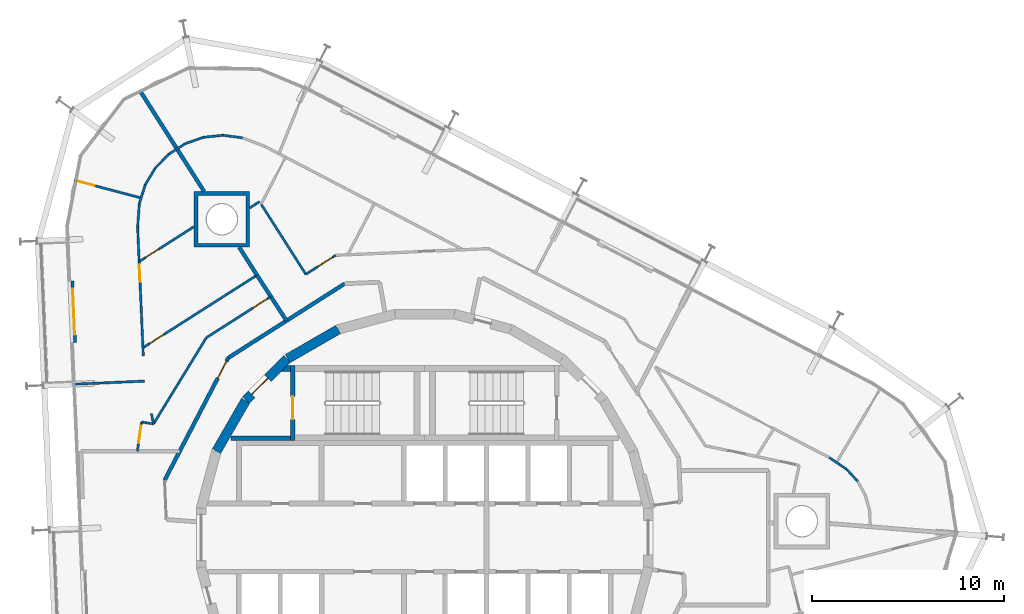
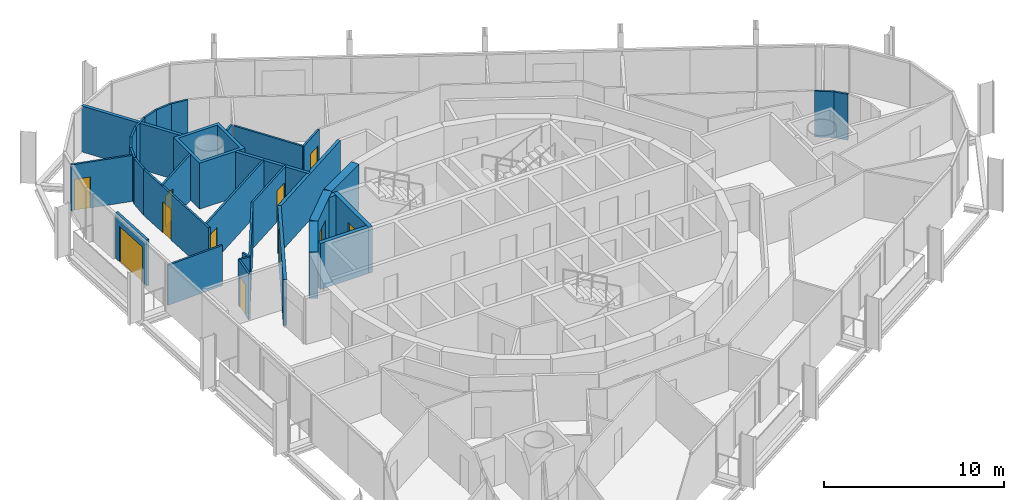
# One storey, part 15 of 18: 36 walls, 11 doors, 11 openings.
"""IFC4 building model written with IfcOpenShell, lengths in metres."""

from ifc_helpers import new_model, si_unit, direction, frame, frame_2d, origin, place, context, subcontext, project, spatial, polyline, rectangle, outline, extrude, material, layer, layer_set, type_object, element, fill, save


model = new_model("IFC4")

# Units and contexts
model_context = context("Model", 3, precision=1e-05, world=origin(), true_north=direction((0.0, 1.0)))
body_context = subcontext(model_context, "Body", "Model", "MODEL_VIEW")
ifc_project = project(units=[si_unit("LENGTHUNIT", "METRE"), si_unit("AREAUNIT", "SQUARE_METRE"), si_unit("VOLUMEUNIT", "CUBIC_METRE"), si_unit("PLANEANGLEUNIT", "RADIAN"), si_unit("MASSUNIT", "GRAM", prefix="KILO")], contexts=[model_context])

# Site, building, storey
site_placement = place(None, origin())
site = spatial("IfcSite", under=ifc_project, at=site_placement, CompositionType="ELEMENT")
building_placement = place(site_placement, origin())
building = spatial("IfcBuilding", under=site, at=building_placement, Name="Spindle Arch Residences", CompositionType="ELEMENT")
storey_placement = place(building_placement, frame((0.0, 0.0, 233.699951171875)))
storey = spatial("IfcBuildingStorey", under=building, at=storey_placement, Name="L59", CompositionType="ELEMENT", Elevation=233.699951171875)

# Wall
ifc_material_1 = material(Name="Concrete C50/60", Category="concrete")
ifc_layer_1 = layer(ifc_material_1, 0.5)
ifc_layer_set_1 = layer_set([ifc_layer_1], Name="Core outline wall 500")
wall_type_1 = type_object("IfcWallType", Name="Core outline wall 500", PredefinedType="SHEAR", material=ifc_layer_set_1)
wall_1_placement = place(storey_placement, frame((-4.510498046875, 10.84521484375, 0.0), z_axis=(0.0, 0.0, 1.0), x_axis=(-0.865975092491, -0.500087131594, 0.0)))
element("IfcWall", 1, at=wall_1_placement, inside=storey, type_object=wall_type_1, Name="Core outline wall 14", PredefinedType="SHEAR", context=body_context, shape_type="SweptSolid", body=[
    extrude(rectangle(XDim=3.03271484375, YDim=0.5, at=frame_2d((1.516357421875, 0.0))), origin(), (0.0, 0.0, 1.0), 3.1201171875),
])

# Wall, opening, door
wall_2_placement = place(storey_placement, frame((-7.163818359375, 9.30810546875, 0.0), z_axis=(0.0, 0.0, 1.0), x_axis=(-0.707106781187, -0.707106781187, 0.0)))
wall_2 = element("IfcWall", 2, at=wall_2_placement, inside=storey, type_object=wall_type_1, Name="Core outline wall 15", PredefinedType="SHEAR", context=body_context, shape_type="SweptSolid", body=[
    extrude(rectangle(XDim=3.032470703125, YDim=0.5, at=frame_2d((1.51611328125, 0.0))), origin(), (0.0, 0.0, 1.0), 3.1201171875),
])
opening_1_placement = place(wall_2_placement, frame((1.416259765625, 0.0, 0.0)))
opening_1 = element("IfcOpeningElement", 3, at=opening_1_placement, cuts=wall_2, Name="Opening R6A0-AD02", PredefinedType="OPENING", context=body_context, shape_type="SweptSolid", body=[
    extrude(rectangle(XDim=1.199951171875, YDim=2.10009765625, at=frame_2d((0.60009765625, 1.050048828125))), frame((0.0, 0.260009765625, 0.0), z_axis=(0.0, -1.0, 0.0), x_axis=(1.0, 0.0, 0.0)), (0.0, 0.0, 1.0), 0.52001953125),
])
ifc_material_2 = material(Name="Steel, fire-resisting door", Category="steel")
door_type_1 = type_object("IfcDoorType", Name="Stair airlock door 1200x2100", OperationType="SINGLE_SWING_LEFT", PredefinedType="DOOR", material=ifc_material_2)
door_1_placement = place(opening_1_placement, origin())
door_1 = element("IfcDoor", 4, at=door_1_placement, inside=storey, type_object=door_type_1, Name="Stair airlock door R6A0-AD02", OperationType="SINGLE_SWING_RIGHT", OverallHeight=2.10009765625, OverallWidth=1.199951171875, PredefinedType="DOOR", context=body_context, shape_type="SweptSolid", body=[
    extrude(rectangle(XDim=1.199951171875, YDim=2.10009765625, at=frame_2d((0.60009765625, 1.050048828125))), frame((0.0, 0.02490234375, 0.0), z_axis=(0.0, -1.0, 0.0), x_axis=(1.0, 0.0, 0.0)), (0.0, 0.0, 1.0), 0.050048828125),
])
fill(opening_1, door_1)

# Walls
wall_3_placement = place(storey_placement, frame((-9.32861328125, 7.13671875, 0.0), z_axis=(0.0, 0.0, 1.0), x_axis=(-0.500087131594, -0.865975092491, 0.0)))
element("IfcWall", 5, at=wall_3_placement, inside=storey, type_object=wall_type_1, Name="Core outline wall 16", PredefinedType="SHEAR", context=body_context, shape_type="SweptSolid", body=[
    extrude(rectangle(XDim=3.03271484375, YDim=0.5, at=frame_2d((1.516357421875, 0.0))), origin(), (0.0, 0.0, 1.0), 3.1201171875),
])
ifc_material_3 = material(Name="Calcium silicate block, plastered")
ifc_layer_2 = layer(ifc_material_3, 0.199951171875)
ifc_layer_set_2 = layer_set([ifc_layer_2], Name="Corridor wall 200")
wall_type_2 = type_object("IfcWallType", Name="Corridor wall 200", PredefinedType="STANDARD", material=ifc_layer_set_2)
wall_4_placement = place(storey_placement, frame((-4.171630859375, 13.230712890625, 0.0), z_axis=(0.0, 0.0, 1.0), x_axis=(-0.843388394728, -0.537304397561, 0.0)))
element("IfcWall", 6, at=wall_4_placement, inside=storey, type_object=wall_type_2, Name="Corridor wall R6A0-W012", PredefinedType="STANDARD", context=body_context, shape_type="SweptSolid", body=[
    extrude(rectangle(XDim=7.180908203125, YDim=0.199951171875, at=frame_2d((3.59033203125, 0.0))), origin(), (0.0, 0.0, 1.0), 3.1201171875),
])
ifc_material_4 = material(Name="Plasterboard on steel studs", Category="steel")
ifc_layer_3 = layer(ifc_material_4, 0.1201171875)
ifc_layer_set_3 = layer_set([ifc_layer_3], Name="Flat partition 120")
wall_type_3 = type_object("IfcWallType", Name="Flat partition 120", PredefinedType="PARTITIONING", material=ifc_layer_set_3)
wall_5_placement = place(storey_placement, frame((21.085205078125, 4.16943359375, 0.0), z_axis=(0.0, 0.0, 1.0), x_axis=(0.827390024541, -0.561627765776, 0.0)))
element("IfcWall", 7, at=wall_5_placement, inside=storey, type_object=wall_type_3, Name="Flat partition R6A0-W044", PredefinedType="PARTITIONING", context=body_context, shape_type="SweptSolid", body=[
    extrude(rectangle(XDim=1.086669921875, YDim=0.1201171875, at=frame_2d((0.54345703125, 0.0))), origin(), (0.0, 0.0, 1.0), 3.1201171875),
])
wall_6_placement = place(storey_placement, frame((21.984375, 3.55908203125, 0.0), z_axis=(0.0, 0.0, 1.0), x_axis=(0.675497816835, -0.737361986715, 0.0)))
element("IfcWall", 8, at=wall_6_placement, inside=storey, type_object=wall_type_3, Name="Flat partition R6A0-W045", PredefinedType="PARTITIONING", context=body_context, shape_type="SweptSolid", body=[
    extrude(rectangle(XDim=0.828857421875, YDim=0.1201171875, at=frame_2d((0.41455078125, 0.0))), origin(), (0.0, 0.0, 1.0), 3.1201171875),
])

# Wall, opening, door
wall_7_placement = place(storey_placement, frame((-4.638671875, 14.711669921875, 0.0), z_axis=(0.0, 0.0, 1.0), x_axis=(-0.843361471414, -0.537346655833, 0.0)))
wall_7 = element("IfcWall", 9, at=wall_7_placement, inside=storey, type_object=wall_type_3, Name="Flat partition R6A0-W056", PredefinedType="PARTITIONING", context=body_context, shape_type="SweptSolid", body=[
    extrude(rectangle(XDim=1.84375, YDim=0.1201171875, at=frame_2d((0.921875, 0.0))), origin(), (0.0, 0.0, 1.0), 3.1201171875),
])
opening_2_placement = place(wall_7_placement, frame((0.199951171875, 0.0, 0.0)))
opening_2 = element("IfcOpeningElement", 10, at=opening_2_placement, cuts=wall_7, Name="Opening R6A0-ID06", PredefinedType="OPENING", context=body_context, shape_type="SweptSolid", body=[
    extrude(rectangle(XDim=0.89990234375, YDim=2.10009765625, at=frame_2d((0.449951171875, 1.050048828125))), frame((0.0, 0.070068359375, 0.0), z_axis=(0.0, -1.0, 0.0), x_axis=(1.0, 0.0, 0.0)), (0.0, 0.0, 1.0), 0.14013671875),
])
ifc_material_5 = material(Name="Timber door set", Category="wood")
door_type_2 = type_object("IfcDoorType", Name="Room door 900x2100", OperationType="NOTDEFINED", PredefinedType="DOOR", material=ifc_material_5)
door_2_placement = place(opening_2_placement, origin())
door_2 = element("IfcDoor", 11, at=door_2_placement, inside=storey, type_object=door_type_2, Name="Room door R6A0-ID06", OperationType="SINGLE_SWING_RIGHT", OverallHeight=2.10009765625, OverallWidth=0.89990234375, PredefinedType="DOOR", context=body_context, shape_type="SweptSolid", body=[
    extrude(rectangle(XDim=0.89990234375, YDim=2.10009765625, at=frame_2d((0.449951171875, 1.050048828125))), frame((0.0, 0.02490234375, 0.0), z_axis=(0.0, -1.0, 0.0), x_axis=(1.0, 0.0, 0.0)), (0.0, 0.0, 1.0), 0.050048828125),
])
fill(opening_2, door_2)

# Walls
wall_8_placement = place(storey_placement, frame((-6.193603515625, 13.720947265625, 0.0), z_axis=(0.0, 0.0, 1.0), x_axis=(-0.537316807294, 0.843380488629, 0.0)))
element("IfcWall", 12, at=wall_8_placement, inside=storey, type_object=wall_type_3, Name="Flat partition R6A0-W057", PredefinedType="PARTITIONING", context=body_context, shape_type="SweptSolid", body=[
    extrude(rectangle(XDim=4.33056640625, YDim=0.1201171875, at=frame_2d((2.165283203125, 0.0))), origin(), (0.0, 0.0, 1.0), 3.1201171875),
])
wall_9_placement = place(storey_placement, frame((-8.603515625, 17.50390625, 0.0), z_axis=(0.0, 0.0, 1.0), x_axis=(-0.843265746233, -0.537496866251, 0.0)))
element("IfcWall", 13, at=wall_9_placement, inside=storey, type_object=wall_type_3, Name="Flat partition R6A0-W058", PredefinedType="PARTITIONING", context=body_context, shape_type="SweptSolid", body=[
    extrude(rectangle(XDim=0.610107421875, YDim=0.1201171875, at=frame_2d((0.30517578125, 0.0))), origin(), (0.0, 0.0, 1.0), 3.1201171875),
])
for number, where, z_axis, x_axis, name in (
    (14, (-13.33154296875, 19.980712890625, 0.0), (0.0, 0.0, 1.0), (0.843404143432, 0.537279676557, 0.0), "Flat partition R6A0-W064"),
    (15, (-12.474609375, 20.526611328125, 0.0), (0.0, 0.0, 1.0), (0.944594007355, 0.32824101095, 0.0), "Flat partition R6A0-W065"),
):
    element("IfcWall", number, at=place(storey_placement, frame(where, z_axis=z_axis, x_axis=x_axis)), inside=storey, type_object=wall_type_3, Name=name, PredefinedType="PARTITIONING", context=body_context, shape_type="SweptSolid", body=[
        extrude(rectangle(XDim=1.01611328125, YDim=0.1201171875, at=frame_2d((0.508056640625, 0.0))), origin(), (0.0, 0.0, 1.0), 3.1201171875),
    ])
wall_10_placement = place(storey_placement, frame((-11.514892578125, 20.860107421875, 0.0), z_axis=(0.0, 0.0, 1.0), x_axis=(0.994818278641, 0.101669034034, 0.0)))
element("IfcWall", 16, at=wall_10_placement, inside=storey, type_object=wall_type_3, Name="Flat partition R6A0-W066", PredefinedType="PARTITIONING", context=body_context, shape_type="SweptSolid", body=[
    extrude(rectangle(XDim=1.015869140625, YDim=0.1201171875, at=frame_2d((0.5078125, 0.0))), origin(), (0.0, 0.0, 1.0), 3.1201171875),
])
wall_11_placement = place(storey_placement, frame((-10.50439453125, 20.96337890625, 0.0), z_axis=(0.0, 0.0, 1.0), x_axis=(0.991451023706, -0.13047937612, 0.0)))
element("IfcWall", 17, at=wall_11_placement, inside=storey, type_object=wall_type_3, Name="Flat partition R6A0-W067", PredefinedType="PARTITIONING", context=body_context, shape_type="SweptSolid", body=[
    extrude(rectangle(XDim=1.01611328125, YDim=0.1201171875, at=frame_2d((0.508056640625, 0.0))), origin(), (0.0, 0.0, 1.0), 3.1201171875),
])

# Wall, opening, door
wall_12_placement = place(storey_placement, frame((-8.0234375, 12.55517578125, 0.0), z_axis=(0.0, 0.0, 1.0), x_axis=(-0.843408270233, -0.537273198385, 0.0)))
wall_12 = element("IfcWall", 18, at=wall_12_placement, inside=storey, type_object=wall_type_3, Name="Flat partition R6A0-W069", PredefinedType="PARTITIONING", context=body_context, shape_type="SweptSolid", body=[
    extrude(rectangle(XDim=3.971435546875, YDim=0.1201171875, at=frame_2d((1.98583984375, 0.0))), origin(), (0.0, 0.0, 1.0), 3.1201171875),
])
opening_3_placement = place(wall_12_placement, frame((0.199951171875, 0.0, 0.0)))
opening_3 = element("IfcOpeningElement", 19, at=opening_3_placement, cuts=wall_12, Name="Opening R6A0-ID09", PredefinedType="OPENING", context=body_context, shape_type="SweptSolid", body=[
    extrude(rectangle(XDim=0.89990234375, YDim=2.10009765625, at=frame_2d((0.449951171875, 1.050048828125))), frame((0.0, 0.070068359375, 0.0), z_axis=(0.0, -1.0, 0.0), x_axis=(1.0, 0.0, 0.0)), (0.0, 0.0, 1.0), 0.14013671875),
])
door_3_placement = place(opening_3_placement, origin())
door_3 = element("IfcDoor", 20, at=door_3_placement, inside=storey, type_object=door_type_2, Name="Room door R6A0-ID09", OperationType="SINGLE_SWING_LEFT", OverallHeight=2.10009765625, OverallWidth=0.89990234375, PredefinedType="DOOR", context=body_context, shape_type="SweptSolid", body=[
    extrude(rectangle(XDim=0.89990234375, YDim=2.10009765625, at=frame_2d((0.449951171875, 1.050048828125))), frame((0.0, 0.02490234375, 0.0), z_axis=(0.0, -1.0, 0.0), x_axis=(1.0, 0.0, 0.0)), (0.0, 0.0, 1.0), 0.050048828125),
])
fill(opening_3, door_3)

# Walls
wall_13_placement = place(storey_placement, frame((-11.373046875, 10.42138671875, 0.0), z_axis=(0.0, 0.0, 1.0), x_axis=(-0.522435957358, -0.852678527031, 0.0)))
element("IfcWall", 21, at=wall_13_placement, inside=storey, type_object=wall_type_3, Name="Flat partition R6A0-W070", PredefinedType="PARTITIONING", context=body_context, shape_type="SweptSolid", body=[
    extrude(rectangle(XDim=5.2666015625, YDim=0.1201171875, at=frame_2d((2.63330078125, 0.0))), origin(), (0.0, 0.0, 1.0), 3.1201171875),
])
wall_14_placement = place(storey_placement, frame((-14.12451171875, 5.9306640625, 0.0), z_axis=(0.0, 0.0, 1.0), x_axis=(-0.989621518838, 0.143698467119, 0.0)))
element("IfcWall", 22, at=wall_14_placement, inside=storey, type_object=wall_type_3, Name="Flat partition R6A0-W071", PredefinedType="PARTITIONING", context=body_context, shape_type="SweptSolid", body=[
    extrude(rectangle(XDim=0.63037109375, YDim=0.1201171875, at=frame_2d((0.315185546875, 0.0))), origin(), (0.0, 0.0, 1.0), 3.1201171875),
])

# Wall, opening, door
wall_15_placement = place(storey_placement, frame((-14.748291015625, 6.021240234375, 0.0), z_axis=(0.0, 0.0, 1.0), x_axis=(-0.143888945672, -0.98959384159, 0.0)))
wall_15 = element("IfcWall", 23, at=wall_15_placement, inside=storey, type_object=wall_type_3, Name="Flat partition R6A0-W072", PredefinedType="PARTITIONING", context=body_context, shape_type="SweptSolid", body=[
    extrude(rectangle(XDim=1.537353515625, YDim=0.1201171875, at=frame_2d((0.7685546875, 0.0))), origin(), (0.0, 0.0, 1.0), 3.1201171875),
])
opening_4_placement = place(wall_15_placement, frame((0.199951171875, 0.0, 0.0)))
opening_4 = element("IfcOpeningElement", 24, at=opening_4_placement, cuts=wall_15, Name="Opening R6A0-ID10", PredefinedType="OPENING", context=body_context, shape_type="SweptSolid", body=[
    extrude(rectangle(XDim=0.89990234375, YDim=2.10009765625, at=frame_2d((0.449951171875, 1.050048828125))), frame((0.0, 0.070068359375, 0.0), z_axis=(0.0, -1.0, 0.0), x_axis=(1.0, 0.0, 0.0)), (0.0, 0.0, 1.0), 0.14013671875),
])
door_4_placement = place(opening_4_placement, origin())
door_4 = element("IfcDoor", 25, at=door_4_placement, inside=storey, type_object=door_type_2, Name="Room door R6A0-ID10", OperationType="SINGLE_SWING_LEFT", OverallHeight=2.10009765625, OverallWidth=0.89990234375, PredefinedType="DOOR", context=body_context, shape_type="SweptSolid", body=[
    extrude(rectangle(XDim=0.89990234375, YDim=2.10009765625, at=frame_2d((0.449951171875, 1.050048828125))), frame((0.0, 0.02490234375, 0.0), z_axis=(0.0, -1.0, 0.0), x_axis=(1.0, 0.0, 0.0)), (0.0, 0.0, 1.0), 0.050048828125),
])
fill(opening_4, door_4)

# Walls
for number, where, z_axis, x_axis, name in (
    (26, (-14.865478515625, 17.410888671875, 0.0), (0.0, 0.0, 1.0), (0.300682714382, 0.953724229152, 0.0), "Flat partition R6A0-W073"),
    (27, (-14.56005859375, 18.379638671875, 0.0), (0.0, 0.0, 1.0), (0.512586118981, 0.858635819558, 0.0), "Flat partition R6A0-W074"),
    (28, (-14.039306640625, 19.251953125, 0.0), (0.0, 0.0, 1.0), (0.69669736192, 0.717365169138, 0.0), "Flat partition R6A0-W075"),
):
    element("IfcWall", number, at=place(storey_placement, frame(where, z_axis=z_axis, x_axis=x_axis)), inside=storey, type_object=wall_type_3, Name=name, PredefinedType="PARTITIONING", context=body_context, shape_type="SweptSolid", body=[
        extrude(rectangle(XDim=1.015869140625, YDim=0.1201171875, at=frame_2d((0.5078125, 0.0))), origin(), (0.0, 0.0, 1.0), 3.1201171875),
    ])

# Wall, opening, door
wall_16_placement = place(storey_placement, frame((-18.259521484375, 18.6181640625, 0.0), z_axis=(0.0, 0.0, 1.0), x_axis=(0.96689176932, -0.25518680691, 0.0)))
wall_16 = element("IfcWall", 29, at=wall_16_placement, inside=storey, type_object=wall_type_3, Name="Flat partition R6A0-W076", PredefinedType="PARTITIONING", context=body_context, shape_type="SweptSolid", body=[
    extrude(rectangle(XDim=3.60400390625, YDim=0.1201171875, at=frame_2d((1.802001953125, 0.0))), origin(), (0.0, 0.0, 1.0), 3.1201171875),
])
opening_5_placement = place(wall_16_placement, frame((0.199951171875, 0.0, 0.0)))
opening_5 = element("IfcOpeningElement", 30, at=opening_5_placement, cuts=wall_16, Name="Opening R6A0-ID13", PredefinedType="OPENING", context=body_context, shape_type="SweptSolid", body=[
    extrude(rectangle(XDim=0.89990234375, YDim=2.10009765625, at=frame_2d((0.449951171875, 1.050048828125))), frame((0.0, 0.070068359375, 0.0), z_axis=(0.0, -1.0, 0.0), x_axis=(1.0, 0.0, 0.0)), (0.0, 0.0, 1.0), 0.14013671875),
])
door_5_placement = place(opening_5_placement, origin())
door_5 = element("IfcDoor", 31, at=door_5_placement, inside=storey, type_object=door_type_2, Name="Room door R6A0-ID13", OperationType="SINGLE_SWING_LEFT", OverallHeight=2.10009765625, OverallWidth=0.89990234375, PredefinedType="DOOR", context=body_context, shape_type="SweptSolid", body=[
    extrude(rectangle(XDim=0.89990234375, YDim=2.10009765625, at=frame_2d((0.449951171875, 1.050048828125))), frame((0.0, 0.02490234375, 0.0), z_axis=(0.0, -1.0, 0.0), x_axis=(1.0, 0.0, 0.0)), (0.0, 0.0, 1.0), 0.050048828125),
])
fill(opening_5, door_5)

wall_17_placement = place(storey_placement, frame((-14.8759765625, 14.381591796875, 0.0), z_axis=(0.0, 0.0, 1.0), x_axis=(0.843409222082, 0.537271704175, 0.0)))
wall_17 = element("IfcWall", 32, at=wall_17_placement, inside=storey, type_object=wall_type_3, Name="Flat partition R6A0-W077", PredefinedType="PARTITIONING", context=body_context, shape_type="SweptSolid", body=[
    extrude(rectangle(XDim=3.388427734375, YDim=0.1201171875, at=frame_2d((1.6943359375, 0.0))), origin(), (0.0, 0.0, 1.0), 3.1201171875),
])
opening_6_placement = place(wall_17_placement, frame((0.39990234375, 0.0, 0.0)))
opening_6 = element("IfcOpeningElement", 33, at=opening_6_placement, cuts=wall_17, Name="Opening R6A0-BD03", PredefinedType="OPENING", context=body_context, shape_type="SweptSolid", body=[
    extrude(rectangle(XDim=0.800048828125, YDim=2.10009765625, at=frame_2d((0.39990234375, 1.050048828125))), frame((0.0, 0.070068359375, 0.0), z_axis=(0.0, -1.0, 0.0), x_axis=(1.0, 0.0, 0.0)), (0.0, 0.0, 1.0), 0.14013671875),
])
ifc_material_6 = material(Name="Timber door set", Category="wood")
door_type_3 = type_object("IfcDoorType", Name="Bathroom door 800x2100", OperationType="NOTDEFINED", PredefinedType="DOOR", material=ifc_material_6)
door_6_placement = place(opening_6_placement, origin())
door_6 = element("IfcDoor", 34, at=door_6_placement, inside=storey, type_object=door_type_3, Name="Bathroom door R6A0-BD03", OperationType="SINGLE_SWING_LEFT", OverallHeight=2.10009765625, OverallWidth=0.800048828125, PredefinedType="DOOR", context=body_context, shape_type="SweptSolid", body=[
    extrude(rectangle(XDim=0.800048828125, YDim=2.10009765625, at=frame_2d((0.39990234375, 1.050048828125))), frame((0.0, 0.02490234375, 0.0), z_axis=(0.0, -1.0, 0.0), x_axis=(1.0, 0.0, 0.0)), (0.0, 0.0, 1.0), 0.050048828125),
])
fill(opening_6, door_6)

# Wall
wall_18_placement = place(storey_placement, frame((-14.865478515625, 17.410888671875, 0.0), z_axis=(0.0, 0.0, 1.0), x_axis=(-0.072618457011, -0.997359794508, 0.0)))
element("IfcWall", 35, at=wall_18_placement, inside=storey, type_object=wall_type_3, Name="Flat partition R6A0-W078", PredefinedType="PARTITIONING", context=body_context, shape_type="SweptSolid", body=[
    extrude(rectangle(XDim=1.22705078125, YDim=0.1201171875, at=frame_2d((0.613525390625, 0.0))), origin(), (0.0, 0.0, 1.0), 3.1201171875),
])

# Wall, opening, door
wall_19_placement = place(storey_placement, frame((-14.95458984375, 16.18701171875, 0.0), z_axis=(0.0, 0.0, 1.0), x_axis=(0.043591713888, -0.999049429448, 0.0)))
wall_19 = element("IfcWall", 36, at=wall_19_placement, inside=storey, type_object=wall_type_3, Name="Flat partition R6A0-W079", PredefinedType="PARTITIONING", context=body_context, shape_type="SweptSolid", body=[
    extrude(rectangle(XDim=6.720703125, YDim=0.1201171875, at=frame_2d((3.3603515625, 0.0))), origin(), (0.0, 0.0, 1.0), 3.1201171875),
])
opening_7_placement = place(wall_19_placement, frame((1.9609375, 0.0, 0.0)))
opening_7 = element("IfcOpeningElement", 37, at=opening_7_placement, cuts=wall_19, Name="Opening R6A0-ID12", PredefinedType="OPENING", context=body_context, shape_type="SweptSolid", body=[
    extrude(rectangle(XDim=0.89990234375, YDim=2.10009765625, at=frame_2d((0.449951171875, 1.050048828125))), frame((0.0, 0.070068359375, 0.0), z_axis=(0.0, -1.0, 0.0), x_axis=(1.0, 0.0, 0.0)), (0.0, 0.0, 1.0), 0.14013671875),
])
door_7_placement = place(opening_7_placement, origin())
door_7 = element("IfcDoor", 38, at=door_7_placement, inside=storey, type_object=door_type_2, Name="Room door R6A0-ID12", OperationType="SINGLE_SWING_LEFT", OverallHeight=2.10009765625, OverallWidth=0.89990234375, PredefinedType="DOOR", context=body_context, shape_type="SweptSolid", body=[
    extrude(rectangle(XDim=0.89990234375, YDim=2.10009765625, at=frame_2d((0.449951171875, 1.050048828125))), frame((0.0, 0.02490234375, 0.0), z_axis=(0.0, -1.0, 0.0), x_axis=(1.0, 0.0, 0.0)), (0.0, 0.0, 1.0), 0.050048828125),
])
fill(opening_7, door_7)

wall_20_placement = place(storey_placement, frame((-14.6796875, 9.89111328125, 0.0), z_axis=(0.0, 0.0, 1.0), x_axis=(0.843391697183, 0.537299213774, 0.0)))
wall_20 = element("IfcWall", 39, at=wall_20_placement, inside=storey, type_object=wall_type_3, Name="Flat partition R6A0-W080", PredefinedType="PARTITIONING", context=body_context, shape_type="SweptSolid", body=[
    extrude(rectangle(XDim=7.045166015625, YDim=0.1201171875, at=frame_2d((3.5224609375, 0.0))), origin(), (0.0, 0.0, 1.0), 3.1201171875),
])
opening_8_placement = place(wall_20_placement, frame((0.39990234375, 0.0, 0.0)))
opening_8 = element("IfcOpeningElement", 40, at=opening_8_placement, cuts=wall_20, Name="Opening R6A0-ID11", PredefinedType="OPENING", context=body_context, shape_type="SweptSolid", body=[
    extrude(rectangle(XDim=0.89990234375, YDim=2.10009765625, at=frame_2d((0.449951171875, 1.050048828125))), frame((0.0, 0.070068359375, 0.0), z_axis=(0.0, -1.0, 0.0), x_axis=(1.0, 0.0, 0.0)), (0.0, 0.0, 1.0), 0.14013671875),
])
door_8_placement = place(opening_8_placement, origin())
door_8 = element("IfcDoor", 41, at=door_8_placement, inside=storey, type_object=door_type_2, Name="Room door R6A0-ID11", OperationType="SINGLE_SWING_LEFT", OverallHeight=2.10009765625, OverallWidth=0.89990234375, PredefinedType="DOOR", context=body_context, shape_type="SweptSolid", body=[
    extrude(rectangle(XDim=0.89990234375, YDim=2.10009765625, at=frame_2d((0.449951171875, 1.050048828125))), frame((0.0, 0.02490234375, 0.0), z_axis=(0.0, -1.0, 0.0), x_axis=(1.0, 0.0, 0.0)), (0.0, 0.0, 1.0), 0.050048828125),
])
fill(opening_8, door_8)

# Walls
wall_21_placement = place(storey_placement, frame((-14.240234375, 6.467041015625, 0.0), z_axis=(0.0, 0.0, 1.0), x_axis=(0.210896225868, -0.977508456186, 0.0)))
element("IfcWall", 42, at=wall_21_placement, inside=storey, type_object=wall_type_3, Name="Flat partition R6A0-W081", PredefinedType="PARTITIONING", context=body_context, shape_type="SweptSolid", body=[
    extrude(rectangle(XDim=0.548828125, YDim=0.1201171875, at=frame_2d((0.2744140625, 0.0))), origin(), (0.0, 0.0, 1.0), 3.1201171875),
])
ifc_material_7 = material(Name="Plasterboard on steel studs", Category="steel")
ifc_layer_4 = layer(ifc_material_7, 0.1201171875)
ifc_layer_set_4 = layer_set([ifc_layer_4], Name="Flat partition 120 under beam 2730")
wall_type_4 = type_object("IfcWallType", Name="Flat partition 120 under beam 2730", PredefinedType="PARTITIONING", material=ifc_layer_set_4)
wall_22_placement = place(storey_placement, frame((-18.20068359375, 7.998779296875, 0.0), z_axis=(0.0, 0.0, 1.0), x_axis=(0.999048850974, 0.043604969534, 0.0)))
element("IfcWall", 43, at=wall_22_placement, inside=storey, type_object=wall_type_4, Name="Flat partition R6A0-W082", PredefinedType="PARTITIONING", context=body_context, shape_type="SweptSolid", body=[
    extrude(rectangle(XDim=3.60009765625, YDim=0.1201171875, at=frame_2d((1.800048828125, 0.0))), origin(), (0.0, 0.0, 1.0), 2.72998046875),
])
ifc_material_8 = material(Name="Calcium silicate block, plastered")
ifc_layer_5 = layer(ifc_material_8, 0.199951171875)
ifc_layer_set_5 = layer_set([ifc_layer_5], Name="Flat party wall 200")
wall_type_5 = type_object("IfcWallType", Name="Flat party wall 200", PredefinedType="STANDARD", material=ifc_layer_set_5)
wall_23_placement = place(storey_placement, frame((-8.73779296875, 13.676513671875, 0.0), z_axis=(0.0, 0.0, 1.0), x_axis=(0.54358037296, -0.839357121929, 0.0)))
element("IfcWall", 44, at=wall_23_placement, inside=storey, type_object=wall_type_5, Name="Flat party wall R6A0-W032", PredefinedType="STANDARD", context=body_context, shape_type="SweptSolid", body=[
    extrude(rectangle(XDim=2.82958984375, YDim=0.199951171875, at=frame_2d((1.414794921875, 0.0))), origin(), (0.0, 0.0, 1.0), 3.1201171875),
])
wall_24_placement = place(storey_placement, frame((-9.662841796875, 15.12890625, 0.0), z_axis=(0.0, 0.0, 1.0), x_axis=(0.537205715853, -0.843451254581, 0.0)))
element("IfcWall", 45, at=wall_24_placement, inside=storey, type_object=wall_type_5, Name="Flat party wall R6A0-W033", PredefinedType="STANDARD", context=body_context, shape_type="SweptSolid", body=[
    extrude(rectangle(XDim=1.721923828125, YDim=0.199951171875, at=frame_2d((0.86083984375, 0.0))), origin(), (0.0, 0.0, 1.0), 3.1201171875),
])
wall_25_placement = place(storey_placement, frame((-14.83740234375, 23.289794921875, 0.0), z_axis=(0.0, 0.0, 1.0), x_axis=(0.537316863221, -0.843380452998, 0.0)))
element("IfcWall", 46, at=wall_25_placement, inside=storey, type_object=wall_type_5, Name="Flat party wall R6A0-W034", PredefinedType="STANDARD", context=body_context, shape_type="SweptSolid", body=[
    extrude(rectangle(XDim=6.226806640625, YDim=0.199951171875, at=frame_2d((3.11328125, 0.0))), origin(), (0.0, 0.0, 1.0), 3.1201171875),
])

# Wall, opening, door
ifc_material_9 = material(Name="Non-combustible mineral wool insulated aluminium faced external wall (K0)", Category="aluminium")
ifc_layer_6 = layer(ifc_material_9, 0.159912109375)
ifc_layer_set_6 = layer_set([ifc_layer_6], Name="Insulated external wall panel 160")
wall_type_6 = type_object("IfcWallType", Name="Insulated external wall panel 160", PredefinedType="STANDARD", material=ifc_layer_set_6)
wall_26_placement = place(storey_placement, frame((-18.354736328125, 13.3623046875, 0.0), z_axis=(0.0, 0.0, 1.0), x_axis=(0.043639181999, -0.999047357133, 0.0)))
wall_26 = element("IfcWall", 47, at=wall_26_placement, inside=storey, type_object=wall_type_6, Name="External wall L59 bay 13", PredefinedType="STANDARD", context=body_context, shape_type="SweptSolid", body=[
    extrude(rectangle(XDim=3.199951171875, YDim=0.159912109375, at=frame_2d((1.60009765625, 0.0))), origin(), (0.0, 0.0, 1.0), 3.1201171875),
])
opening_9_placement = place(wall_26_placement, frame((0.39990234375, 0.0, 0.0)))
opening_9 = element("IfcOpeningElement", 48, at=opening_9_placement, cuts=wall_26, Name="Opening BD13", PredefinedType="OPENING", context=body_context, shape_type="SweptSolid", body=[
    extrude(rectangle(XDim=2.39990234375, YDim=2.39990234375, at=frame_2d((1.199951171875, 1.199951171875))), frame((0.0, 0.08984375, 0.0), z_axis=(0.0, -1.0, 0.0), x_axis=(1.0, 0.0, 0.0)), (0.0, 0.0, 1.0), 0.179931640625),
])
ifc_material_10 = material(Name="Bronze aluminium frame, tinted double glazing", Category="aluminium")
door_type_4 = type_object("IfcDoorType", Name="Sliding glazed balcony door 2400x2400", OperationType="DOUBLE_DOOR_SLIDING", PredefinedType="DOOR", material=ifc_material_10)
door_9_placement = place(opening_9_placement, origin())
door_9 = element("IfcDoor", 49, at=door_9_placement, inside=storey, type_object=door_type_4, Name="Balcony door BD13", OperationType="DOUBLE_DOOR_SLIDING", OverallHeight=2.39990234375, OverallWidth=2.39990234375, PredefinedType="DOOR", context=body_context, shape_type="SweptSolid", body=[
    extrude(rectangle(XDim=2.39990234375, YDim=2.39990234375, at=frame_2d((1.199951171875, 1.199951171875))), frame((0.0, 0.02490234375, 0.0), z_axis=(0.0, -1.0, 0.0), x_axis=(1.0, 0.0, 0.0)), (0.0, 0.0, 1.0), 0.050048828125),
])
fill(opening_9, door_9)

ifc_material_11 = material(Name="Calcium silicate block, plastered")
ifc_layer_7 = layer(ifc_material_11, 0.199951171875)
ifc_layer_set_7 = layer_set([ifc_layer_7], Name="Lift lobby bay wall 200")
wall_type_7 = type_object("IfcWallType", Name="Lift lobby bay wall 200", PredefinedType="STANDARD", material=ifc_layer_set_7)
wall_27_placement = place(storey_placement, frame((-10.22802734375, 9.372314453125, 0.0), z_axis=(0.0, 0.0, 1.0), x_axis=(-0.461759464021, -0.887005184532, 0.0)))
wall_27 = element("IfcWall", 50, at=wall_27_placement, inside=storey, type_object=wall_type_7, Name="Lift lobby bay wall R6A0-W007", PredefinedType="STANDARD", context=body_context, shape_type="SweptSolid", body=[
    extrude(rectangle(XDim=7.18115234375, YDim=0.199951171875, at=frame_2d((3.590576171875, 0.0))), origin(), (0.0, 0.0, 1.0), 3.1201171875),
])
opening_10_placement = place(wall_27_placement, frame((0.199951171875, 0.0, 0.0)))
opening_10 = element("IfcOpeningElement", 51, at=opening_10_placement, cuts=wall_27, Name="Opening R6A0-FD03", PredefinedType="OPENING", context=body_context, shape_type="SweptSolid", body=[
    extrude(rectangle(XDim=1.0, YDim=2.10009765625, at=frame_2d((0.5, 1.050048828125))), frame((0.0, 0.10986328125, 0.0), z_axis=(0.0, -1.0, 0.0), x_axis=(1.0, 0.0, 0.0)), (0.0, 0.0, 1.0), 0.219970703125),
])
ifc_material_12 = material(Name="Timber, fire-resisting door set", Category="wood")
door_type_5 = type_object("IfcDoorType", Name="Flat entrance door 1000x2100", OperationType="NOTDEFINED", PredefinedType="DOOR", material=ifc_material_12)
door_10_placement = place(opening_10_placement, origin())
door_10 = element("IfcDoor", 52, at=door_10_placement, inside=storey, type_object=door_type_5, Name="Flat entrance door R6A0-FD03", OperationType="SINGLE_SWING_LEFT", OverallHeight=2.10009765625, OverallWidth=1.0, PredefinedType="DOOR", context=body_context, shape_type="SweptSolid", body=[
    extrude(rectangle(XDim=1.0, YDim=2.10009765625, at=frame_2d((0.5, 1.050048828125))), frame((0.0, 0.02490234375, 0.0), z_axis=(0.0, -1.0, 0.0), x_axis=(1.0, 0.0, 0.0)), (0.0, 0.0, 1.0), 0.050048828125),
])
fill(opening_10, door_10)

# Walls
ifc_material_13 = material(Name="Calcium silicate block, plastered")
ifc_layer_8 = layer(ifc_material_13, 0.199951171875)
ifc_layer_set_8 = layer_set([ifc_layer_8], Name="Mega-column casing wall 200")
wall_type_8 = type_object("IfcWallType", Name="Mega-column casing wall 200", PredefinedType="STANDARD", material=ifc_layer_set_8)
wall_28_placement = place(storey_placement, origin())
element("IfcWall", 53, at=wall_28_placement, inside=storey, type_object=wall_type_8, Name="Mega-column casing wall R6A0-WC02", PredefinedType="STANDARD", context=body_context, shape_type="SweptSolid", body=[
    extrude(outline(polyline([(-9.117919921875, 18.038330078125), (-9.117919921875, 15.138427734375), (-12.01806640625, 15.138427734375), (-12.01806640625, 18.038330078125), (-9.117919921875, 18.038330078125)]), holes=[polyline([(-11.818115234375, 15.33837890625), (-9.318115234375, 15.33837890625), (-9.318115234375, 17.83837890625), (-11.818115234375, 17.83837890625), (-11.818115234375, 15.33837890625)])]), origin(), (0.0, 0.0, 1.0), 3.1201171875),
])
ifc_material_14 = material(Name="Concrete C40/50", Category="concrete")
ifc_layer_9 = layer(ifc_material_14, 0.25)
ifc_layer_set_9 = layer_set([ifc_layer_9], Name="Stair airlock wall 250")
wall_type_9 = type_object("IfcWallType", Name="Stair airlock wall 250", PredefinedType="SHEAR", material=ifc_layer_set_9)
wall_29_placement = place(storey_placement, frame((-7.0, 5.175048828125, 0.0), z_axis=(0.0, 0.0, 1.0), x_axis=(-1.0, 0.0, 0.0)))
element("IfcWall", 54, at=wall_29_placement, inside=storey, type_object=wall_type_9, Name="Stair ST-2 airlock wall S", PredefinedType="SHEAR", context=body_context, shape_type="SweptSolid", body=[
    extrude(rectangle(XDim=3.10009765625, YDim=0.25, at=frame_2d((1.550048828125, 0.0))), origin(), (0.0, 0.0, 1.0), 3.1201171875),
])
ifc_material_15 = material(Name="Concrete C40/50", Category="concrete")
wall_type_10 = type_object("IfcWallType", Name="Stair airlock wall profile", PredefinedType="SHEAR", material=ifc_material_15)
wall_30_placement = place(storey_placement, origin())
element("IfcWall", 55, at=wall_30_placement, inside=storey, type_object=wall_type_10, Name="Stair ST-2 airlock wall N", PredefinedType="SHEAR", context=body_context, shape_type="SweptSolid", body=[
    extrude(outline(polyline([(-7.148193359375, 8.969970703125), (-7.0, 8.969970703125), (-7.0, 8.669921875), (-7.4482421875, 8.669921875), (-7.148193359375, 8.969970703125)])), origin(), (0.0, 0.0, 1.0), 3.1201171875),
])

# Wall, opening, door
ifc_material_16 = material(Name="Concrete C50/60", Category="concrete")
ifc_layer_10 = layer(ifc_material_16, 0.25)
ifc_layer_set_10 = layer_set([ifc_layer_10], Name="Stair enclosure wall 250")
wall_type_11 = type_object("IfcWallType", Name="Stair enclosure wall 250", PredefinedType="SHEAR", material=ifc_layer_set_10)
wall_31_placement = place(storey_placement, frame((-6.875, 8.969970703125, 0.0), z_axis=(0.0, 0.0, 1.0), x_axis=(0.0, -1.0, 0.0)))
wall_31 = element("IfcWall", 56, at=wall_31_placement, inside=storey, type_object=wall_type_11, Name="Stair ST-2 door wall", PredefinedType="SHEAR", context=body_context, shape_type="SweptSolid", body=[
    extrude(rectangle(XDim=3.919921875, YDim=0.25, at=frame_2d((1.9599609375, 0.0))), origin(), (0.0, 0.0, 1.0), 3.1201171875),
])
opening_11_placement = place(wall_31_placement, frame((1.610107421875, 0.0, 0.0)))
opening_11 = element("IfcOpeningElement", 57, at=opening_11_placement, cuts=wall_31, Name="Opening R6A0-SD02", PredefinedType="OPENING", context=body_context, shape_type="SweptSolid", body=[
    extrude(rectangle(XDim=1.199951171875, YDim=2.10009765625, at=frame_2d((0.60009765625, 1.050048828125))), frame((0.0, 0.135009765625, 0.0), z_axis=(0.0, -1.0, 0.0), x_axis=(1.0, 0.0, 0.0)), (0.0, 0.0, 1.0), 0.27001953125),
])
ifc_material_17 = material(Name="Steel, fire-resisting door", Category="steel")
door_type_6 = type_object("IfcDoorType", Name="Stair door 1200x2100", OperationType="SINGLE_SWING_RIGHT", PredefinedType="DOOR", material=ifc_material_17)
door_11_placement = place(opening_11_placement, origin())
door_11 = element("IfcDoor", 58, at=door_11_placement, inside=storey, type_object=door_type_6, Name="Stair door R6A0-SD02", OperationType="SINGLE_SWING_LEFT", OverallHeight=2.10009765625, OverallWidth=1.199951171875, PredefinedType="DOOR", context=body_context, shape_type="SweptSolid", body=[
    extrude(rectangle(XDim=1.199951171875, YDim=2.10009765625, at=frame_2d((0.60009765625, 1.050048828125))), frame((0.0, 0.02490234375, 0.0), z_axis=(0.0, -1.0, 0.0), x_axis=(1.0, 0.0, 0.0)), (0.0, 0.0, 1.0), 0.050048828125),
])
fill(opening_11, door_11)

save(model, "model.ifc")
